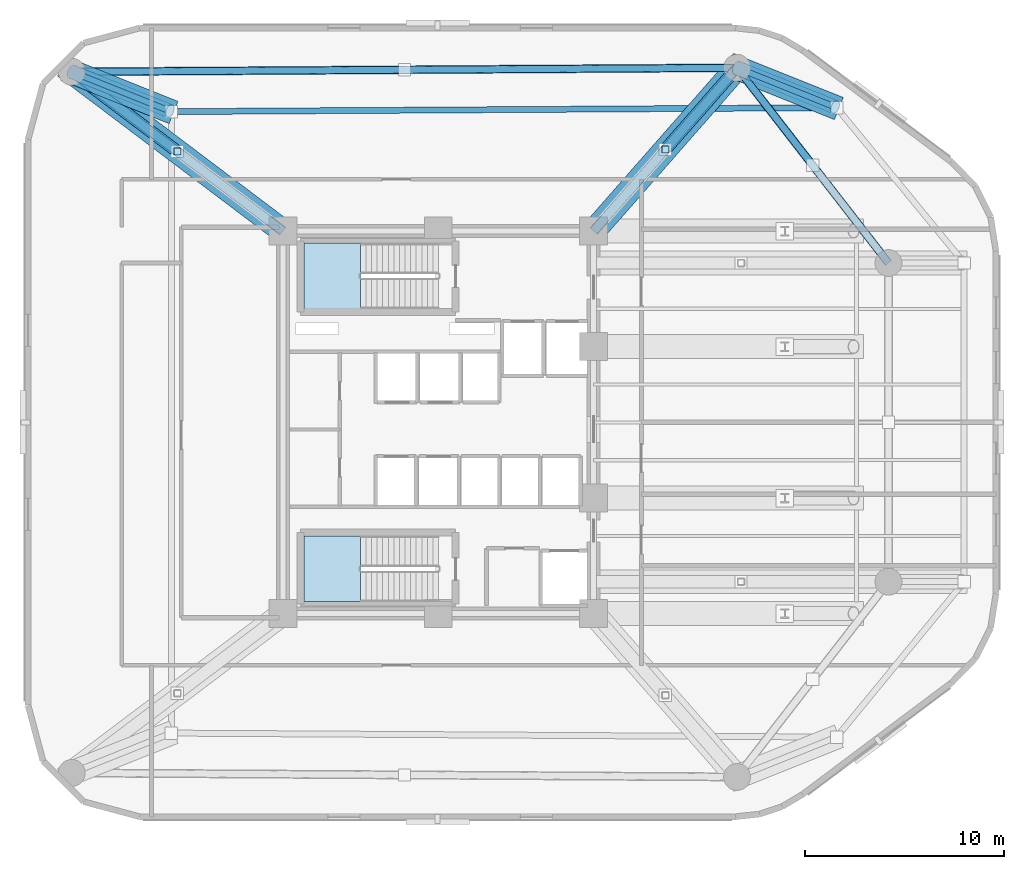
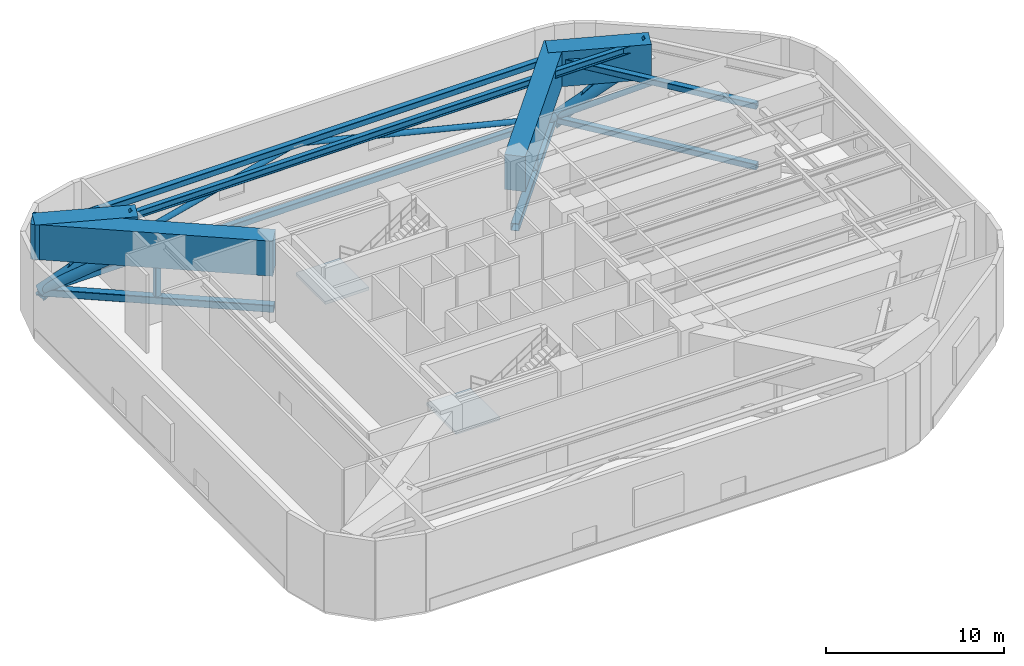
# One storey, part 4 of 10: 15 members, 7 beams, 2 slabs, 2 elements without a shape of their own.
"""IFC4 building model written with IfcOpenShell, lengths in metres."""

from ifc_helpers import new_model, si_unit, direction, frame, origin, origin_2d, place, context, subcontext, project, spatial, polyline, rectangle, hollow_rectangle, hollow_circle, i_section, outline, extrude, material, layer, layer_set, material_profile, profile_set, type_object, element, aggregate, save


model = new_model("IFC4")

# Units and contexts
model_context = context("Model", 3, precision=1e-05, world=origin(), true_north=direction((0.0, 1.0)))
body_context = subcontext(model_context, "Body", "Model", "MODEL_VIEW")
ifc_project = project(units=[si_unit("LENGTHUNIT", "METRE"), si_unit("AREAUNIT", "SQUARE_METRE"), si_unit("VOLUMEUNIT", "CUBIC_METRE"), si_unit("PLANEANGLEUNIT", "RADIAN"), si_unit("MASSUNIT", "GRAM", prefix="KILO")], contexts=[model_context])

# Site, building, storey
site_placement = place(None, origin())
site = spatial("IfcSite", under=ifc_project, at=site_placement, CompositionType="ELEMENT")
building_placement = place(site_placement, origin())
building = spatial("IfcBuilding", under=site, at=building_placement, Name="An Khanh Terracotta Commons", CompositionType="ELEMENT")
storey_placement = place(building_placement, frame((0.0, 0.0, 133.10009765625)))
storey = spatial("IfcBuildingStorey", under=building, at=storey_placement, Name="L35", CompositionType="ELEMENT", Elevation=133.10009765625)

# Members
ifc_material_1 = material(Name="Steel S460ML", Category="steel")
ifc_material_profile_1 = material_profile(ifc_material_1, hollow_rectangle(XDim=0.39990234375, YDim=0.39990234375, WallThickness=0.02001953125, InnerFilletRadius=0.02001953125, OuterFilletRadius=0.0400390625, at=origin_2d()), Name="SHS400x400x20")
ifc_profile_set_1 = profile_set([ifc_material_profile_1], Name="Steel S460ML")
member_type_1 = type_object("IfcMemberType", Name="BELT-CHORD-SHS400", PredefinedType="CHORD", material=ifc_profile_set_1)
for number, where, z_axis, x_axis, name in (
    (1, (52.0, 32.0, 0.449951171875), (-0.612826529795, 0.790217466511, 0.0), (-0.790217466511, -0.612826529795, 0.0), "L35 Belt-Truss Bottom Chord 4"),
    (2, (52.0, 32.0, 4.60986328125), (-0.612826529795, 0.790217466511, 0.0), (-0.790217466511, -0.612826529795, 0.0), "L35 Belt-Truss Top Chord 4"),
):
    element("IfcMember", number, at=place(storey_placement, frame(where, z_axis=z_axis, x_axis=x_axis)), inside=storey, type_object=member_type_1, Name=name, PredefinedType="CHORD", context=body_context, shape_type="SweptSolid", body=[
        extrude(hollow_rectangle(XDim=0.39990234375, YDim=0.39990234375, WallThickness=0.02001953125, InnerFilletRadius=0.02001953125, OuterFilletRadius=0.0400390625, at=origin_2d()), origin(), (0.0, 0.0, 1.0), 12.401611328125),
    ])
for number, where, z_axis, x_axis, name in (
    (3, (44.39990234375, 41.800048828125, 0.449951171875), (-0.999982080914, -0.005986472262, 0.0), (0.005986472262, -0.999982080914, 0.0), "L35 Belt-Truss Bottom Chord 5"),
    (4, (44.39990234375, 41.800048828125, 4.60986328125), (-0.999982080914, -0.005986472262, 0.0), (0.005986472262, -0.999982080914, 0.0), "L35 Belt-Truss Top Chord 5"),
):
    element("IfcMember", number, at=place(storey_placement, frame(where, z_axis=z_axis, x_axis=x_axis)), inside=storey, type_object=member_type_1, Name=name, PredefinedType="CHORD", context=body_context, shape_type="SweptSolid", body=[
        extrude(hollow_rectangle(XDim=0.39990234375, YDim=0.39990234375, WallThickness=0.02001953125, InnerFilletRadius=0.02001953125, OuterFilletRadius=0.0400390625, at=origin_2d()), origin(), (0.0, 0.0, 1.0), 33.400390625),
    ])
ifc_material_profile_2 = material_profile(ifc_material_1, hollow_rectangle(XDim=0.5, YDim=0.5, WallThickness=0.02490234375, InnerFilletRadius=0.02490234375, OuterFilletRadius=0.050048828125, at=origin_2d()), Name="SHS500x500x25")
ifc_profile_set_2 = profile_set([ifc_material_profile_2], Name="Steel S460ML")
member_type_2 = type_object("IfcMemberType", Name="BELT-CHORD-SHS500", PredefinedType="CHORD", material=ifc_profile_set_2)
member_1_placement = place(storey_placement, frame((37.199951171875, 33.60009765625, 0.449951171875), z_axis=(0.659800865089, 0.7514404956, 0.0), x_axis=(-0.7514404956, 0.659800865089, 0.0)))
element("IfcMember", 5, at=member_1_placement, inside=storey, type_object=member_type_2, Name="L35 Outrigger Bottom Chord 5", PredefinedType="CHORD", context=body_context, shape_type="SweptSolid", body=[
    extrude(hollow_rectangle(XDim=0.5, YDim=0.5, WallThickness=0.02490234375, InnerFilletRadius=0.02490234375, OuterFilletRadius=0.050048828125, at=origin_2d()), origin(), (0.0, 0.0, 1.0), 10.912353515625),
])
member_2_placement = place(storey_placement, frame((21.60009765625, 33.60009765625, 0.449951171875), z_axis=(-0.798191818888, 0.602403370061, 0.0), x_axis=(-0.602403370061, -0.798191818888, 0.0)))
element("IfcMember", 6, at=member_2_placement, inside=storey, type_object=member_type_2, Name="L35 Outrigger Bottom Chord 6", PredefinedType="CHORD", context=body_context, shape_type="SweptSolid", body=[
    extrude(hollow_rectangle(XDim=0.5, YDim=0.5, WallThickness=0.02490234375, InnerFilletRadius=0.02490234375, OuterFilletRadius=0.050048828125, at=origin_2d()), origin(), (0.0, 0.0, 1.0), 13.280029296875),
])
ifc_material_profile_3 = material_profile(ifc_material_1, hollow_circle(Radius=0.177734375, WallThickness=0.01611328125, at=origin_2d()), Name="CHS355.6x16")
ifc_profile_set_3 = profile_set([ifc_material_profile_3], Name="Steel S460ML")
member_type_3 = type_object("IfcMemberType", Name="BELT-DIAG-CHS355", PredefinedType="BRACE", material=ifc_profile_set_3)
member_3_placement = place(storey_placement, frame((44.39990234375, 41.800048828125, 0.449951171875), z_axis=(0.50890971535, -0.656236870979, 0.557103285567), x_axis=(0.790224859557, 0.612816996613, 0.0)))
element("IfcMember", 7, at=member_3_placement, inside=storey, type_object=member_type_3, Name="L35 Belt-Truss Web Diagonal 4B", PredefinedType="BRACE", context=body_context, shape_type="SweptSolid", body=[
    extrude(hollow_circle(Radius=0.177734375, WallThickness=0.01611328125, at=origin_2d()), origin(), (0.0, 0.0, 1.0), 7.467041015625),
])
for number, where, z_axis, x_axis, name in (
    (8, (44.39990234375, 41.800048828125, 0.449951171875), (-0.970331848605, -0.005816061546, 0.24170700654), (0.005993781489, -0.99998203713, 0.0), "L35 Belt-Truss Web Diagonal 5A"),
    (9, (11.0, 41.60009765625, 0.449951171875), (0.970331928564, 0.005801876508, 0.241707026458), (-0.005979163033, 0.999982124645, 0.0), "L35 Belt-Truss Web Diagonal 5B"),
):
    element("IfcMember", number, at=place(storey_placement, frame(where, z_axis=z_axis, x_axis=x_axis)), inside=storey, type_object=member_type_3, Name=name, PredefinedType="BRACE", context=body_context, shape_type="SweptSolid", body=[
        extrude(hollow_circle(Radius=0.177734375, WallThickness=0.01611328125, at=origin_2d()), origin(), (0.0, 0.0, 1.0), 17.21044921875),
    ])
ifc_material_profile_4 = material_profile(ifc_material_1, hollow_rectangle(XDim=0.35009765625, YDim=0.35009765625, WallThickness=0.01611328125, InnerFilletRadius=0.01611328125, OuterFilletRadius=0.031982421875, at=origin_2d()), Name="SHS350x350x16")
ifc_profile_set_4 = profile_set([ifc_material_profile_4], Name="Steel S460ML")
member_type_4 = type_object("IfcMemberType", Name="BELT-STRUT-SHS350", PredefinedType="STRUT", material=ifc_profile_set_4)
for number, where, z_axis, x_axis, name in (
    (10, (40.800048828125, 37.699951171875, 0.449951171875), (0.0, 0.0, 1.0), (1.0, 0.0, 0.0), "L35 Outrigger Vertical Post 5"),
    (11, (16.300048828125, 37.60009765625, 0.449951171875), (0.0, 0.0, 1.0), (1.0, 0.0, 0.0), "L35 Outrigger Vertical Post 6"),
):
    element("IfcMember", number, at=place(storey_placement, frame(where, z_axis=z_axis, x_axis=x_axis)), inside=storey, type_object=member_type_4, Name=name, PredefinedType="STRUT", context=body_context, shape_type="SweptSolid", body=[
        extrude(hollow_rectangle(XDim=0.35009765625, YDim=0.35009765625, WallThickness=0.01611328125, InnerFilletRadius=0.01611328125, OuterFilletRadius=0.031982421875, at=origin_2d()), origin(), (0.0, 0.0, 1.0), 4.159912109375),
    ])

# Beams
ifc_material_2 = material(Name="Steel S355J2", Category="steel")
ifc_material_profile_5 = material_profile(ifc_material_2, i_section(OverallWidth=0.300048828125, OverallDepth=0.5, WebThickness=0.014404296875, FlangeThickness=0.028076171875, FilletRadius=0.027099609375, at=origin_2d()), Name="HEB500")
ifc_profile_set_5 = profile_set([ifc_material_profile_5], Name="Steel S355J2")
beam_type_1 = type_object("IfcBeamType", Name="BM-HEB500", PredefinedType="BEAM", material=ifc_profile_set_5)
beam_1_placement = place(storey_placement, frame((49.39990234375, 39.800048828125, 5.10986328125), z_axis=(-0.999982080914, -0.005986472262, 0.0), x_axis=(0.005986472262, -0.999982080914, 0.0)))
element("IfcBeam", 12, at=beam_1_placement, inside=storey, type_object=beam_type_1, Name="L35 Perimeter Ring Spandrel 5", PredefinedType="BEAM", context=body_context, shape_type="SweptSolid", body=[
    extrude(i_section(OverallWidth=0.300048828125, OverallDepth=0.5, WebThickness=0.014404296875, FlangeThickness=0.028076171875, FilletRadius=0.027099609375, at=origin_2d()), origin(), (0.0, 0.0, 1.0), 33.400390625),
])
ifc_material_profile_6 = material_profile(ifc_material_2, i_section(OverallWidth=0.300048828125, OverallDepth=0.60009765625, WebThickness=0.015380859375, FlangeThickness=0.030029296875, FilletRadius=0.027099609375, at=origin_2d()), Name="HEB600")
ifc_profile_set_6 = profile_set([ifc_material_profile_6], Name="Steel S355J2")
beam_type_2 = type_object("IfcBeamType", Name="BM-HEB600", PredefinedType="BEAM", material=ifc_profile_set_6)
for number, where, z_axis, x_axis, name in (
    (13, (44.39990234375, 41.800048828125, 0.0), (0.664822495315, -0.265928998126, 0.69806362008), (0.371390676354, 0.928476690885, 0.0), "L35 Outrigger Lower Column Tie Beam 5"),
    (14, (11.0, 41.60009765625, 0.0), (0.664822495315, -0.265928998126, 0.69806362008), (0.371390676354, 0.928476690885, 0.0), "L35 Outrigger Lower Column Tie Beam 6"),
):
    element("IfcBeam", number, at=place(storey_placement, frame(where, z_axis=z_axis, x_axis=x_axis)), inside=storey, type_object=beam_type_2, Name=name, PredefinedType="BEAM", context=body_context, shape_type="SweptSolid", body=[
        extrude(i_section(OverallWidth=0.300048828125, OverallDepth=0.60009765625, WebThickness=0.015380859375, FlangeThickness=0.030029296875, FilletRadius=0.027099609375, at=origin_2d()), origin(), (0.0, 0.0, 1.0), 7.520751953125),
    ])
ifc_material_3 = material(Name="Concrete C60/75", Category="concrete")
ifc_material_profile_7 = material_profile(ifc_material_3, rectangle(XDim=1.199951171875, YDim=2.39990234375, at=origin_2d()), Name="RCB1200x2400")
ifc_profile_set_7 = profile_set([ifc_material_profile_7], Name="Concrete C60/75")
beam_type_3 = type_object("IfcBeamType", Name="BM-RCB1200x2400", PredefinedType="BEAM", material=ifc_profile_set_7)
beam_2_placement = place(storey_placement, frame((37.199951171875, 33.60009765625, 4.159912109375), z_axis=(0.659822479498, 0.75142151656, 0.0), x_axis=(-0.75142151656, 0.659822479498, 0.0)))
element("IfcBeam", 15, at=beam_2_placement, inside=storey, type_object=beam_type_3, Name="L35 Outrigger Core-to-Mega Transfer Girder 5", PredefinedType="BEAM", context=body_context, shape_type="SweptSolid", body=[
    extrude(rectangle(XDim=1.199951171875, YDim=2.39990234375, at=origin_2d()), origin(), (0.0, 0.0, 1.0), 11.3623046875),
])
beam_3_placement = place(storey_placement, frame((44.074951171875, 41.929931640625, 4.159912109375), z_axis=(0.928439302104, -0.371484134665, 0.0), x_axis=(0.371484134665, 0.928439302104, 0.0)))
element("IfcBeam", 16, at=beam_3_placement, inside=storey, type_object=beam_type_3, Name="L35 Mega-Column Step-Out Transfer Girder 5", PredefinedType="BEAM", context=body_context, shape_type="SweptSolid", body=[
    extrude(rectangle(XDim=1.199951171875, YDim=2.39990234375, at=origin_2d()), origin(), (0.0, 0.0, 1.0), 5.85498046875),
])
beam_4_placement = place(storey_placement, frame((21.60009765625, 33.60009765625, 4.159912109375), z_axis=(-0.798186891816, 0.602409898435, 0.0), x_axis=(-0.602409898435, -0.798186891816, 0.0)))
element("IfcBeam", 17, at=beam_4_placement, inside=storey, type_object=beam_type_3, Name="L35 Outrigger Core-to-Mega Transfer Girder 6", PredefinedType="BEAM", context=body_context, shape_type="SweptSolid", body=[
    extrude(rectangle(XDim=1.199951171875, YDim=2.39990234375, at=origin_2d()), origin(), (0.0, 0.0, 1.0), 13.729736328125),
])
beam_5_placement = place(storey_placement, frame((10.675048828125, 41.72998046875, 4.159912109375), z_axis=(0.928439302104, -0.371484134665, 0.0), x_axis=(0.371484134665, 0.928439302104, 0.0)))
element("IfcBeam", 18, at=beam_5_placement, inside=storey, type_object=beam_type_3, Name="L35 Mega-Column Step-Out Transfer Girder 6", PredefinedType="BEAM", context=body_context, shape_type="SweptSolid", body=[
    extrude(rectangle(XDim=1.199951171875, YDim=2.39990234375, at=origin_2d()), origin(), (0.0, 0.0, 1.0), 5.85498046875),
])

# Members
ifc_material_profile_8 = material_profile(ifc_material_1, hollow_circle(Radius=0.304931640625, WallThickness=0.030029296875, at=origin_2d()), Name="CHS610x30")
ifc_profile_set_8 = profile_set([ifc_material_profile_8], Name="Steel S460ML")
member_type_5 = type_object("IfcMemberType", Name="OUTRIGGER-DIAG-CHS610", PredefinedType="BRACE", material=ifc_profile_set_8)
member_4_placement = place(storey_placement, frame((40.800048828125, 37.699951171875, 4.60986328125), z_axis=(0.524676292508, 0.597586548415, -0.606304465788), x_axis=(-0.751461327499, 0.659777139096, 0.0)))
element("IfcMember", 19, at=member_4_placement, inside=storey, type_object=member_type_5, Name="L35 Outrigger Tie Diagonal 5B", PredefinedType="BRACE", context=body_context, shape_type="SweptSolid", body=[
    extrude(hollow_circle(Radius=0.304931640625, WallThickness=0.030029296875, at=origin_2d()), origin(), (0.0, 0.0, 1.0), 6.861083984375),
])
member_5_placement = place(storey_placement, frame((16.300048828125, 37.60009765625, 4.60986328125), z_axis=(-0.676413088262, 0.510495740849, -0.530904353535), x_axis=(-0.602403370061, -0.798191818888, 0.0)))
element("IfcMember", 20, at=member_5_placement, inside=storey, type_object=member_type_5, Name="L35 Outrigger Tie Diagonal 6B", PredefinedType="BRACE", context=body_context, shape_type="SweptSolid", body=[
    extrude(hollow_circle(Radius=0.304931640625, WallThickness=0.030029296875, at=origin_2d()), origin(), (0.0, 0.0, 1.0), 7.83544921875),
])
ifc_material_profile_9 = material_profile(ifc_material_1, hollow_circle(Radius=0.35546875, WallThickness=0.031982421875, at=origin_2d()), Name="CHS711x32")
ifc_profile_set_9 = profile_set([ifc_material_profile_9], Name="Steel S460ML")
member_type_6 = type_object("IfcMemberType", Name="OUTRIGGER-RAKE-CHS711", PredefinedType="STRUT", material=ifc_profile_set_9)
for number, where, z_axis, x_axis, name in (
    (21, (44.39990234375, 41.800048828125, 0.449951171875), (0.760915013284, -0.304298123715, 0.57307154393), (0.371319268009, 0.928505251038, 0.0), "L35 Zone-Step Raking Outrigger Strut 5"),
    (22, (11.0, 41.60009765625, 0.449951171875), (0.760906280868, -0.304332343094, 0.573064967244), (0.371358940126, 0.928489384748, 0.0), "L35 Zone-Step Raking Outrigger Strut 6"),
):
    element("IfcMember", number, at=place(storey_placement, frame(where, z_axis=z_axis, x_axis=x_axis)), inside=storey, type_object=member_type_6, Name=name, PredefinedType="STRUT", context=body_context, shape_type="SweptSolid", body=[
        extrude(hollow_circle(Radius=0.35546875, WallThickness=0.031982421875, at=origin_2d()), origin(), (0.0, 0.0, 1.0), 6.473876953125),
    ])

# Stair, slab
ifc_material_4 = material(Name="Precast concrete C40/50", Category="concrete")
stair_type = type_object("IfcStairType", Name="STAIR-CORE-1550", PredefinedType="HALF_TURN_STAIR", material=ifc_material_4)
stair_1_placement = place(storey_placement, origin())
stair_1 = element("IfcStair", 23, at=stair_1_placement, inside=storey, type_object=stair_type, Name="L35 Core Smokeproof Exit Stair ST-01", PredefinedType="HALF_TURN_STAIR")
ifc_material_5 = material(Name="Concrete C40/50", Category="concrete")
ifc_layer = layer(ifc_material_5, 0.18994140625, Name="Concrete C40/50")
ifc_layer_set = layer_set([ifc_layer], Name="Concrete C40/50")
slab_type = type_object("IfcSlabType", Name="SLAB-LANDING-190", PredefinedType="LANDING", material=ifc_layer_set)
slab_1_placement = place(storey_placement, frame((0.0, 0.0, 2.599853515625)))
slab_1 = element("IfcSlab", 24, at=slab_1_placement, type_object=slab_type, Name="ST-01 landing 1", PredefinedType="LANDING", context=body_context, shape_type="SweptSolid", body=[
    extrude(outline(polyline([(25.489990234375, 33.0), (22.64990234375, 33.0), (22.64990234375, 29.699951171875), (25.489990234375, 29.699951171875), (25.489990234375, 33.0)])), origin(), (0.0, 0.0, 1.0), 0.199951171875),
])
aggregate(stair_1, [slab_1])

stair_2_placement = place(storey_placement, origin())
stair_2 = element("IfcStair", 25, at=stair_2_placement, inside=storey, type_object=stair_type, Name="L35 Core Smokeproof Exit Stair ST-02", PredefinedType="HALF_TURN_STAIR")
slab_2_placement = place(storey_placement, frame((0.0, 0.0, 2.599853515625)))
slab_2 = element("IfcSlab", 26, at=slab_2_placement, type_object=slab_type, Name="ST-02 landing 1", PredefinedType="LANDING", context=body_context, shape_type="SweptSolid", body=[
    extrude(outline(polyline([(25.489990234375, 18.300048828125), (22.64990234375, 18.300048828125), (22.64990234375, 15.0), (25.489990234375, 15.0), (25.489990234375, 18.300048828125)])), origin(), (0.0, 0.0, 1.0), 0.199951171875),
])
aggregate(stair_2, [slab_2])

save(model, "model.ifc")
